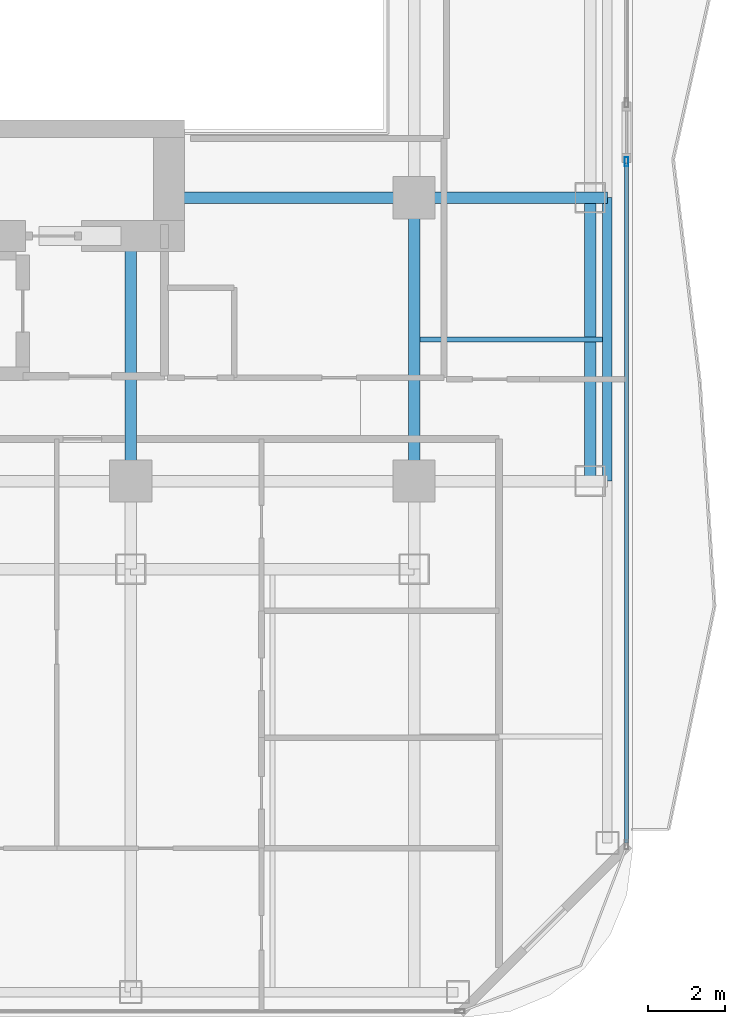
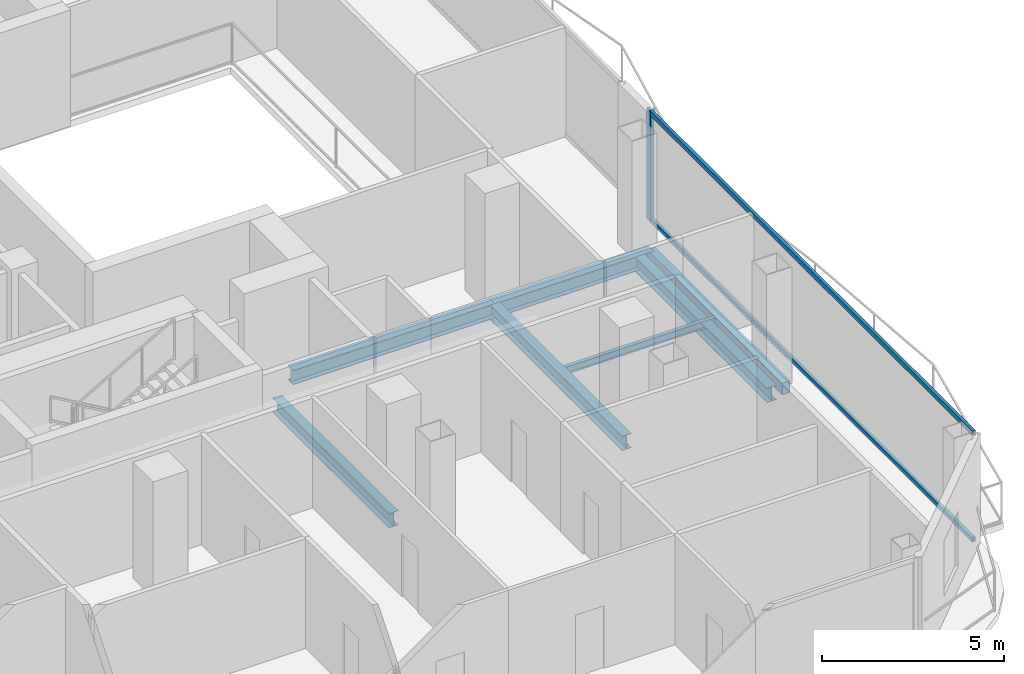
# One storey, part 8 of 23: 7 beams, 3 members, 1 element without a shape of its own.
"""IFC4 building model written with IfcOpenShell, lengths in metres."""

from ifc_helpers import new_model, si_unit, direction, frame, origin, origin_2d, place, context, subcontext, project, spatial, hollow_rectangle, i_section, extrude, material, layer, layer_set, material_profile, profile_set, type_object, element, aggregate, save


model = new_model("IFC4")

# Units and contexts
model_context = context("Model", 3, precision=1e-05, world=origin(), true_north=direction((0.0, 1.0)))
body_context = subcontext(model_context, "Body", "Model", "MODEL_VIEW")
ifc_project = project(units=[si_unit("LENGTHUNIT", "METRE"), si_unit("AREAUNIT", "SQUARE_METRE"), si_unit("VOLUMEUNIT", "CUBIC_METRE"), si_unit("PLANEANGLEUNIT", "RADIAN"), si_unit("MASSUNIT", "GRAM", prefix="KILO")], contexts=[model_context])

# Site, building, storey
site_placement = place(None, origin())
site = spatial("IfcSite", under=ifc_project, at=site_placement, CompositionType="ELEMENT")
building_placement = place(site_placement, origin())
building = spatial("IfcBuilding", under=site, at=building_placement, Name="Khorvyn Point Tower", CompositionType="ELEMENT")
storey_placement = place(building_placement, frame((0.0, 0.0, 195.300048828125)))
storey = spatial("IfcBuildingStorey", under=building, at=storey_placement, Name="L48", CompositionType="ELEMENT", Elevation=195.300048828125)

# Curtain wall, members
ifc_material_1 = material(Name="Anodised aluminium 6063-T6 and laminated Low-E glass", Category="aluminium")
ifc_layer = layer(ifc_material_1, 0.18994140625)
ifc_layer_set = layer_set([ifc_layer], Name="Stick-Built Acoustic Curtain Wall CW-SYS-03")
curtain_wall_type = type_object("IfcCurtainWallType", Name="Stick-Built Acoustic Curtain Wall CW-SYS-03", PredefinedType="NOTDEFINED", material=ifc_layer_set)
curtain_wall_placement = place(storey_placement, origin())
curtain_wall = element("IfcCurtainWall", 1, at=curtain_wall_placement, inside=storey, type_object=curtain_wall_type, Name="Curtain Wall", PredefinedType="NOTDEFINED")
ifc_material_2 = material(Name="Anodised aluminium 6063-T6", Category="aluminium")
ifc_material_profile_1 = material_profile(ifc_material_2, hollow_rectangle(XDim=0.10009765625, YDim=0.239990234375, WallThickness=0.0048828125, at=origin_2d()))
ifc_profile_set_1 = profile_set([ifc_material_profile_1], Name="Anodised aluminium 6063-T6 ALU-MUL-100x240")
member_type_1 = type_object("IfcMemberType", Name="Anodised Aluminium 6063-T6 Mullion ALU-MUL-100x240", PredefinedType="MULLION", material=ifc_profile_set_1)
member_1_placement = place(storey_placement, frame((20.35009765625, -6.4599609375, 0.0), z_axis=(0.0, 0.0, 1.0), x_axis=(1.0, 0.0, 0.0)))
member_1 = element("IfcMember", 2, at=member_1_placement, type_object=member_type_1, Name="Transom", PredefinedType="MULLION", context=body_context, shape_type="SweptSolid", body=[
    extrude(hollow_rectangle(XDim=0.10009765625, YDim=0.239990234375, WallThickness=0.0048828125, at=origin_2d()), origin(), (0.0, 0.0, 1.0), 3.679931640625),
])
ifc_material_profile_2 = material_profile(ifc_material_2, hollow_rectangle(XDim=0.10009765625, YDim=0.159912109375, WallThickness=0.00439453125, at=origin_2d()))
ifc_profile_set_2 = profile_set([ifc_material_profile_2], Name="Anodised aluminium 6063-T6 ALU-TRN-100x160")
member_type_2 = type_object("IfcMemberType", Name="Anodised Aluminium 6063-T6 Transom ALU-TRN-100x160", PredefinedType="USERDEFINED", material=ifc_profile_set_2)
member_2_placement = place(storey_placement, frame((20.35009765625, -6.510009765625, 0.050048828125), z_axis=(0.0, -1.0, 0.0), x_axis=(1.0, 0.0, 0.0)))
member_2 = element("IfcMember", 3, at=member_2_placement, type_object=member_type_2, Name="Transom", ObjectType="TRANSOM", PredefinedType="USERDEFINED", context=body_context, shape_type="SweptSolid", body=[
    extrude(hollow_rectangle(XDim=0.10009765625, YDim=0.159912109375, WallThickness=0.00439453125, at=origin_2d()), origin(), (0.0, 0.0, 1.0), 17.739990234375),
])
member_3_placement = place(storey_placement, frame((20.35009765625, -6.510009765625, 3.6298828125), z_axis=(0.0, -1.0, 0.0), x_axis=(1.0, 0.0, 0.0)))
member_3 = element("IfcMember", 4, at=member_3_placement, type_object=member_type_2, Name="Transom", ObjectType="TRANSOM", PredefinedType="USERDEFINED", context=body_context, shape_type="SweptSolid", body=[
    extrude(hollow_rectangle(XDim=0.10009765625, YDim=0.159912109375, WallThickness=0.00439453125, at=origin_2d()), origin(), (0.0, 0.0, 1.0), 17.739990234375),
])
aggregate(curtain_wall, [member_1, member_2, member_3])

# Beams
ifc_material_3 = material(Name="Steel S355", Category="steel")
ifc_material_profile_3 = material_profile(ifc_material_3, i_section(OverallWidth=0.125, OverallDepth=0.25, WebThickness=0.006103515625, FlangeThickness=0.009033203125, at=origin_2d()))
ifc_profile_set_3 = profile_set([ifc_material_profile_3], Name="Steel S355 H250x125x6x9")
beam_type_1 = type_object("IfcBeamType", Name="Steel S355 Joist H250x125x6x9", PredefinedType="JOIST", material=ifc_profile_set_3)
beam_1_placement = place(storey_placement, frame((14.949951171875, -11.10009765625, -0.344970703125), z_axis=(1.0, 0.0, 0.0), x_axis=(0.0, 1.0, 0.0)))
element("IfcBeam", 5, at=beam_1_placement, inside=storey, type_object=beam_type_1, Name="Beam", PredefinedType="JOIST", context=body_context, shape_type="SweptSolid", body=[
    extrude(i_section(OverallWidth=0.125, OverallDepth=0.25, WebThickness=0.006103515625, FlangeThickness=0.009033203125, at=origin_2d()), origin(), (0.0, 0.0, 1.0), 4.775146484375),
])
ifc_material_profile_4 = material_profile(ifc_material_3, i_section(OverallWidth=0.300048828125, OverallDepth=0.488037109375, WebThickness=0.010986328125, FlangeThickness=0.01806640625, at=origin_2d()))
ifc_profile_set_4 = profile_set([ifc_material_profile_4], Name="Steel S355 H488x300x11x18")
beam_type_2 = type_object("IfcBeamType", Name="Steel S355 Spandrel H488x300x11x18", PredefinedType="SPANDREL", material=ifc_profile_set_4)
beam_2_placement = place(storey_placement, frame((8.39990234375, -7.39990234375, -0.464111328125), z_axis=(1.0, 0.0, 0.0), x_axis=(0.0, 1.0, 0.0)))
element("IfcBeam", 6, at=beam_2_placement, inside=storey, type_object=beam_type_2, Name="Beam", PredefinedType="SPANDREL", context=body_context, shape_type="SweptSolid", body=[
    extrude(i_section(OverallWidth=0.300048828125, OverallDepth=0.488037109375, WebThickness=0.010986328125, FlangeThickness=0.01806640625, at=origin_2d()), origin(), (0.0, 0.0, 1.0), 6.400146484375),
])
beam_3_placement = place(storey_placement, frame((14.800048828125, -7.39990234375, -0.464111328125), z_axis=(1.0, 0.0, 0.0), x_axis=(0.0, 1.0, 0.0)))
element("IfcBeam", 7, at=beam_3_placement, inside=storey, type_object=beam_type_2, Name="Beam", PredefinedType="SPANDREL", context=body_context, shape_type="SweptSolid", body=[
    extrude(i_section(OverallWidth=0.300048828125, OverallDepth=0.488037109375, WebThickness=0.010986328125, FlangeThickness=0.01806640625, at=origin_2d()), origin(), (0.0, 0.0, 1.0), 5.050048828125),
])
beam_4_placement = place(storey_placement, frame((14.800048828125, -14.800048828125, -0.464111328125), z_axis=(0.0, 1.0, 0.0), x_axis=(-1.0, 0.0, 0.0)))
element("IfcBeam", 8, at=beam_4_placement, inside=storey, type_object=beam_type_2, Name="Beam", PredefinedType="SPANDREL", context=body_context, shape_type="SweptSolid", body=[
    extrude(i_section(OverallWidth=0.300048828125, OverallDepth=0.488037109375, WebThickness=0.010986328125, FlangeThickness=0.01806640625, at=origin_2d()), origin(), (0.0, 0.0, 1.0), 7.400146484375),
])
beam_5_placement = place(storey_placement, frame((7.39990234375, -14.800048828125, -0.464111328125), z_axis=(0.0, 1.0, 0.0), x_axis=(-1.0, 0.0, 0.0)))
element("IfcBeam", 9, at=beam_5_placement, inside=storey, type_object=beam_type_2, Name="Beam", PredefinedType="SPANDREL", context=body_context, shape_type="SweptSolid", body=[
    extrude(i_section(OverallWidth=0.300048828125, OverallDepth=0.488037109375, WebThickness=0.010986328125, FlangeThickness=0.01806640625, at=origin_2d()), origin(), (0.0, 0.0, 1.0), 6.400146484375),
])
beam_6_placement = place(storey_placement, frame((19.39990234375, -14.800048828125, -0.464111328125), z_axis=(0.0, 1.0, 0.0), x_axis=(-1.0, 0.0, 0.0)))
element("IfcBeam", 10, at=beam_6_placement, inside=storey, type_object=beam_type_2, Name="Beam", PredefinedType="SPANDREL", context=body_context, shape_type="SweptSolid", body=[
    extrude(i_section(OverallWidth=0.300048828125, OverallDepth=0.488037109375, WebThickness=0.010986328125, FlangeThickness=0.01806640625, at=origin_2d()), origin(), (0.0, 0.0, 1.0), 7.400146484375),
])
ifc_material_profile_5 = material_profile(ifc_material_3, hollow_rectangle(XDim=0.25, YDim=0.39990234375, WallThickness=0.01611328125, at=origin_2d()))
ifc_profile_set_5 = profile_set([ifc_material_profile_5], Name="Steel S355 RHS400x250x16")
beam_type_3 = type_object("IfcBeamType", Name="Steel S355 Spandrel RHS400x250x16", PredefinedType="SPANDREL", material=ifc_profile_set_5)
beam_7_placement = place(storey_placement, frame((19.85009765625, -14.800048828125, -0.420166015625), z_axis=(0.0, 1.0, 0.0), x_axis=(-1.0, 0.0, 0.0)))
element("IfcBeam", 11, at=beam_7_placement, inside=storey, type_object=beam_type_3, Name="Beam", PredefinedType="SPANDREL", context=body_context, shape_type="SweptSolid", body=[
    extrude(hollow_rectangle(XDim=0.25, YDim=0.39990234375, WallThickness=0.01611328125, at=origin_2d()), origin(), (0.0, 0.0, 1.0), 7.400146484375),
])

save(model, "model.ifc")
